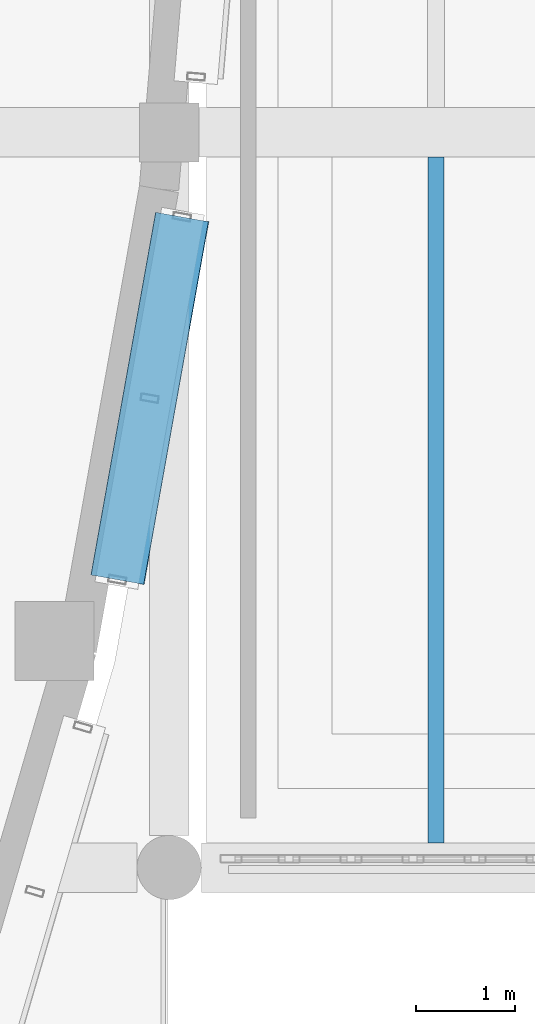
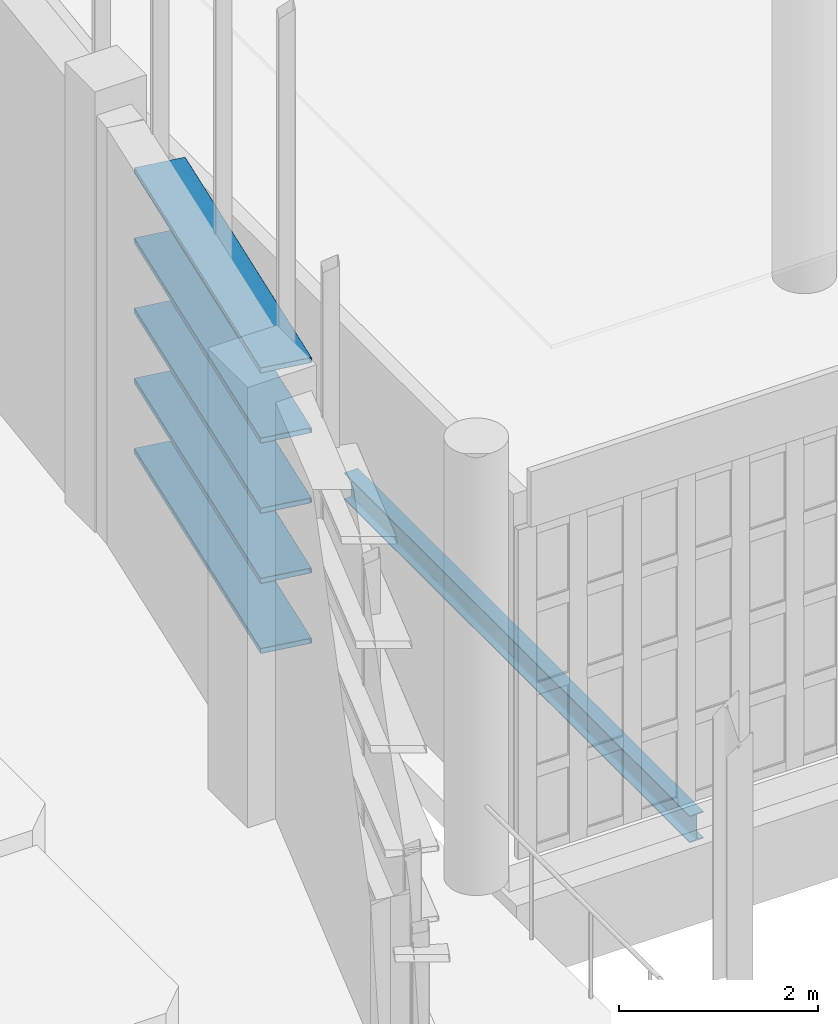
# One storey, part 114 of 372: 5 members, 1 beam.
"""IFC4 building model written with IfcOpenShell, lengths in metres."""

from ifc_helpers import new_model, si_unit, direction, frame, origin, origin_2d, place, context, subcontext, project, spatial, hollow_rectangle, i_section, extrude, material, material_profile, profile_set, type_object, element, save


model = new_model("IFC4")

# Units and contexts
model_context = context("Model", 3, precision=1e-05, world=origin(), true_north=direction((0.0, 1.0)))
body_context = subcontext(model_context, "Body", "Model", "MODEL_VIEW")
ifc_project = project(units=[si_unit("LENGTHUNIT", "METRE"), si_unit("AREAUNIT", "SQUARE_METRE"), si_unit("VOLUMEUNIT", "CUBIC_METRE"), si_unit("PLANEANGLEUNIT", "RADIAN"), si_unit("MASSUNIT", "GRAM", prefix="KILO")], contexts=[model_context])

# Site, building, storey
site_placement = place(None, origin())
site = spatial("IfcSite", under=ifc_project, at=site_placement, CompositionType="ELEMENT")
building_placement = place(site_placement, origin())
building = spatial("IfcBuilding", under=site, at=building_placement, Name="Kaelora Sail Theatre", CompositionType="ELEMENT")
storey_placement = place(building_placement, origin())
storey = spatial("IfcBuildingStorey", under=building, at=storey_placement, Name="L00", CompositionType="ELEMENT", Elevation=0.0)

# Members
ifc_material_1 = material(Name="Anodised aluminium 6063-T6", Category="aluminium")
ifc_material_profile_1 = material_profile(ifc_material_1, hollow_rectangle(XDim=0.550048828125, YDim=0.06494140625, WallThickness=0.00390625, InnerFilletRadius=0.00390625, OuterFilletRadius=0.008056640625, at=origin_2d()), Name="LOUVRE 550x65x4")
ifc_profile_set_1 = profile_set([ifc_material_profile_1], Name="Anodised aluminium 6063-T6")
member_type = type_object("IfcMemberType", Name="ARC-MEM-LVR-300", PredefinedType="USERDEFINED", material=ifc_profile_set_1)
for number, where, z_axis, x_axis, name in (
    (1, (58.33056640625, 45.284423828125, 1.25), (-0.175566335005, -0.984467603333, 0.0), (0.984467603333, -0.175566335005, 0.0), "Main Theatre Sail Drum horizontal solar louvre C4-01"),
    (2, (58.33056640625, 45.284423828125, 2.110107421875), (-0.175566335005, -0.984467603333, 0.0), (0.984467603333, -0.175566335005, 0.0), "Main Theatre Sail Drum horizontal solar louvre C4-02"),
    (3, (58.33056640625, 45.284423828125, 2.969970703125), (-0.175566335005, -0.984467603333, 0.0), (0.984467603333, -0.175566335005, 0.0), "Main Theatre Sail Drum horizontal solar louvre C4-03"),
    (4, (58.33056640625, 45.284423828125, 3.830078125), (-0.175566335005, -0.984467603333, 0.0), (0.984467603333, -0.175566335005, 0.0), "Main Theatre Sail Drum horizontal solar louvre C4-04"),
    (5, (58.33056640625, 45.284423828125, 4.68994140625), (-0.175566335005, -0.984467603333, 0.0), (0.984467603333, -0.175566335005, 0.0), "Main Theatre Sail Drum horizontal solar louvre C4-05"),
):
    element("IfcMember", number, at=place(storey_placement, frame(where, z_axis=z_axis, x_axis=x_axis)), inside=storey, type_object=member_type, Name=name, ObjectType="LOUVRE", PredefinedType="USERDEFINED", context=body_context, shape_type="SweptSolid", body=[
        extrude(hollow_rectangle(XDim=0.550048828125, YDim=0.06494140625, WallThickness=0.00390625, InnerFilletRadius=0.00390625, OuterFilletRadius=0.008056640625, at=origin_2d()), origin(), (0.0, 0.0, 1.0), 3.7294921875),
    ])

# Beam
ifc_material_2 = material(Name="Steel S355", Category="steel")
ifc_material_profile_2 = material_profile(ifc_material_2, i_section(OverallWidth=0.159912109375, OverallDepth=0.330078125, WebThickness=0.007568359375, FlangeThickness=0.011474609375, FilletRadius=0.01806640625, at=origin_2d()), Name="IPE 330")
ifc_profile_set_2 = profile_set([ifc_material_profile_2], Name="Steel S355")
beam_type = type_object("IfcBeamType", Name="STR-BM-JS-IPE330", PredefinedType="JOIST", material=ifc_profile_set_2)
beam_placement = place(storey_placement, frame((60.89990234375, 38.949951171875, -0.485107421875), z_axis=(0.0, 1.0, 0.0), x_axis=(-1.0, 0.0, 0.0)))
element("IfcBeam", 6, at=beam_placement, inside=storey, type_object=beam_type, Name="Secondary floor joist 8/F-1 (L00)", PredefinedType="JOIST", context=body_context, shape_type="SweptSolid", body=[
    extrude(i_section(OverallWidth=0.159912109375, OverallDepth=0.330078125, WebThickness=0.007568359375, FlangeThickness=0.011474609375, FilletRadius=0.01806640625, at=origin_2d()), origin(), (0.0, 0.0, 1.0), 6.93994140625),
])

save(model, "model.ifc")
